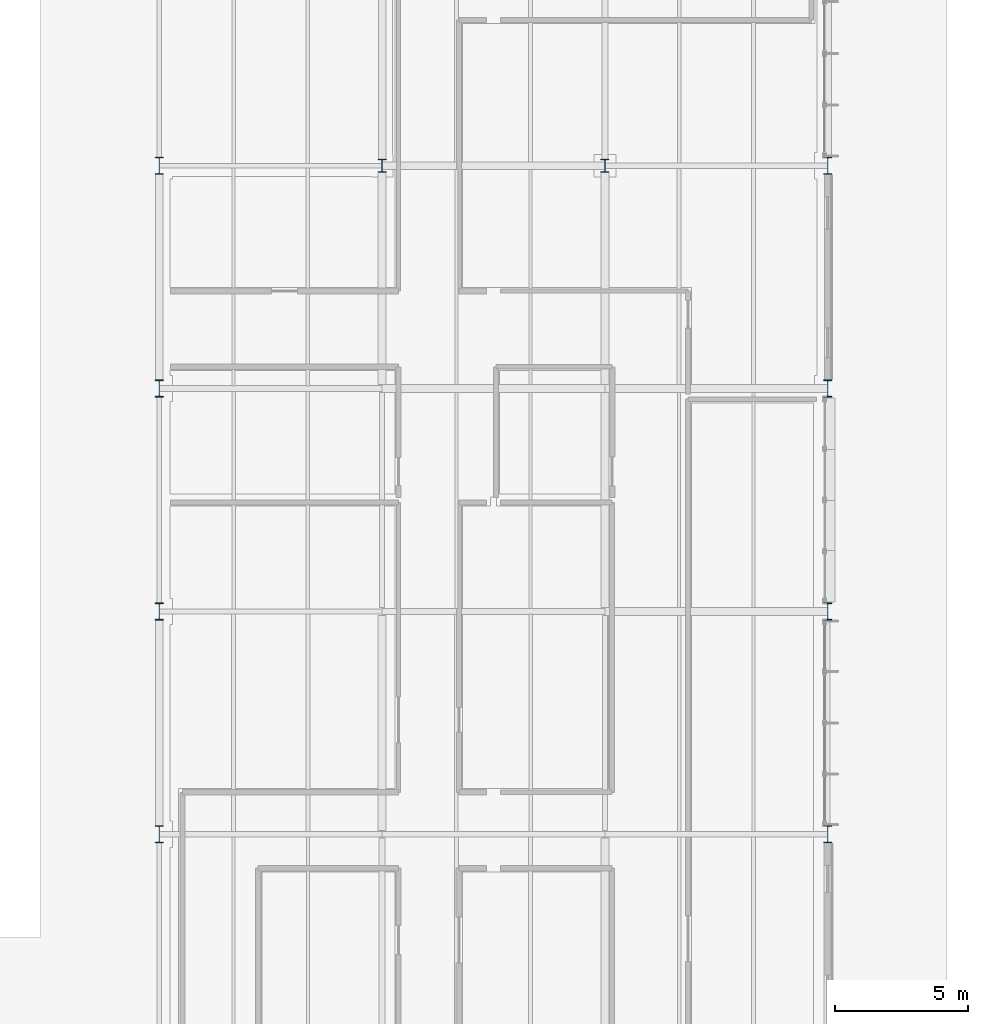
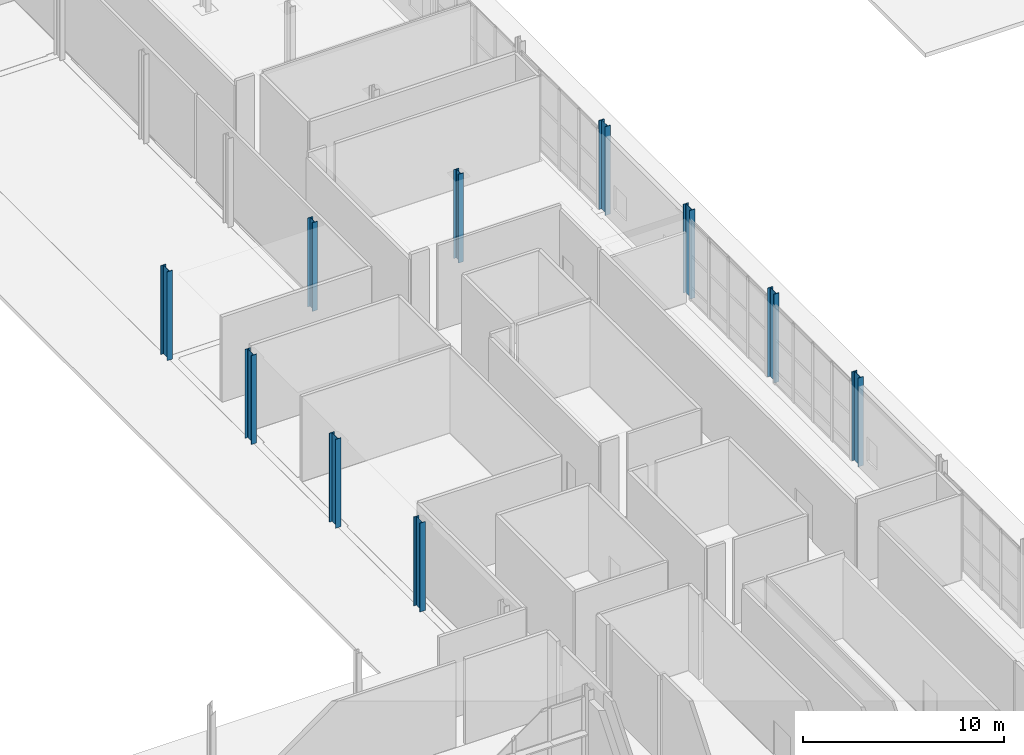
# One storey, part 11 of 124: 10 columns.
"""IFC4 building model written with IfcOpenShell, lengths in metres."""

import ifcopenshell
import ifcopenshell.guid

model = None  # the IFC model being written
_history = None  # IfcOwnerHistory: only IFC2X3 demands one
_inside = {}  # id of a spatial element -> (the spatial element, [elements in it])
_under = {}  # id of a project, library or spatial element -> (it, [spatial elements below it])
_declared = {}  # id of a project -> (the project, [libraries it declares])
_typed = {}  # id of a type object -> (the type object, [elements of that type])
_made_of = {}  # id of a material, layer set ... -> (it, [elements and type objects made of it])


def new_model(schema):
    """Start an empty IFC model of exactly this schema.

    Asked for "IFC4X3", IfcOpenShell would pick the latest addendum, in which some entities
    have other attributes; the version numbers below select the first issue.
    IFC2X3 requires an IfcOwnerHistory on every rooted entity: one is made here for all.
    """
    global model, _history
    if schema == "IFC4X3":
        model = ifcopenshell.file(schema_version=(4, 3, 0, 0))
    else:
        model = ifcopenshell.file(schema=schema)
    _inside.clear()
    _under.clear()
    _declared.clear()
    _typed.clear()
    _made_of.clear()
    _history = None
    if model.schema == "IFC2X3":
        org = make("IfcOrganization", Name="unknown")
        user = make(
            "IfcPersonAndOrganization",
            ThePerson=make("IfcPerson", FamilyName="unknown"),
            TheOrganization=org,
        )
        app = make(
            "IfcApplication",
            ApplicationDeveloper=org,
            Version="unknown",
            ApplicationFullName="unknown",
            ApplicationIdentifier="unknown",
        )
        _history = make(
            "IfcOwnerHistory",
            OwningUser=user,
            OwningApplication=app,
            ChangeAction="ADDED",
            CreationDate=0,
        )
    return model


def make(cls, **values):
    """One entity of the class cls with the attributes given. An attribute that is None is left unset."""
    return model.create_entity(
        cls, **{name: value for name, value in values.items() if value is not None}
    )


def rooted(cls, **values):
    """An entity with a GlobalId (a new one), such as an element, a storey or a relation."""
    return make(cls, GlobalId=ifcopenshell.guid.new(), OwnerHistory=_history, **values)


def si_unit(unit_type, name, prefix=None):
    """IfcSIUnit, for example si_unit("LENGTHUNIT", "METRE", prefix="MILLI")."""
    return make("IfcSIUnit", UnitType=unit_type, Prefix=prefix, Name=name)


def assignment(units):
    """IfcUnitAssignment: the units of a project."""
    return None if units is None else make("IfcUnitAssignment", Units=units)


def point(xyz):
    """IfcCartesianPoint."""
    return None if xyz is None else make("IfcCartesianPoint", Coordinates=xyz)


def direction(xyz):
    """IfcDirection."""
    return None if xyz is None else make("IfcDirection", DirectionRatios=xyz)


def frame(location, z_axis=None, x_axis=None):
    """IfcAxis2Placement3D, a coordinate frame: its origin and axes. An axis left out is left unset."""
    return make(
        "IfcAxis2Placement3D",
        Location=point(location),
        Axis=direction(z_axis),
        RefDirection=direction(x_axis),
    )


def frame_2d(location, x_axis=None):
    """IfcAxis2Placement2D, a coordinate frame in the plane: its origin and x axis."""
    return make(
        "IfcAxis2Placement2D", Location=point(location), RefDirection=direction(x_axis)
    )


def origin():
    """The frame at (0, 0, 0) with its axes left unset."""
    return frame((0.0, 0.0, 0.0))


def origin_2d():
    """The frame at (0, 0) in the plane with its x axis left unset."""
    return frame_2d((0.0, 0.0))


def place(relative_to, where):
    """IfcLocalPlacement: puts the frame where relative to a parent placement (None: the world)."""
    return make(
        "IfcLocalPlacement", PlacementRelTo=relative_to, RelativePlacement=where
    )


def context(
    kind, dimensions, precision=None, world=None, true_north=None, identifier=None
):
    """IfcGeometricRepresentationContext, for example the 3D "Model" context."""
    return make(
        "IfcGeometricRepresentationContext",
        ContextIdentifier=identifier,
        ContextType=kind,
        CoordinateSpaceDimension=dimensions,
        Precision=precision,
        WorldCoordinateSystem=world,
        TrueNorth=true_north,
    )


def subcontext(parent, identifier, kind, view, scale=None):
    """IfcGeometricRepresentationSubContext, for example "Body" below "Model"."""
    return make(
        "IfcGeometricRepresentationSubContext",
        ContextIdentifier=identifier,
        ContextType=kind,
        ParentContext=parent,
        TargetScale=scale,
        TargetView=view,
    )


def project(units=None, contexts=None):
    """IfcProject with its units and contexts."""
    return rooted(
        "IfcProject",
        Name="project",
        RepresentationContexts=contexts,
        UnitsInContext=assignment(units),
    )


def spatial(cls, under=None, at=None, **own):
    """A site, building, storey or space (cls), placed at a placement, below another one or the project."""
    s = rooted(cls, ObjectPlacement=at, **own)
    if under is not None:
        _under.setdefault(under.id(), (under, []))[1].append(s)
    return s


def profile(cls, at=None, kind="AREA", **sizes):
    """A parametric profile (cls). Its sizes go by their IFC names, for example OverallWidth=200.0."""
    return make(cls, ProfileType=kind, Position=at, **sizes)


def i_section(**sizes):
    """IfcIShapeProfileDef."""
    return profile("IfcIShapeProfileDef", **sizes)


def extrude(swept, where, along, depth):
    """IfcExtrudedAreaSolid: the profile swept, set in the frame where, extruded along a direction by depth."""
    return make(
        "IfcExtrudedAreaSolid",
        SweptArea=swept,
        Position=where,
        ExtrudedDirection=direction(along),
        Depth=depth,
    )


def shape(context_of_items, identifier, shape_type, items):
    """IfcShapeRepresentation: the items that make up one representation, for example the "Body"."""
    return make(
        "IfcShapeRepresentation",
        ContextOfItems=context_of_items,
        RepresentationIdentifier=identifier,
        RepresentationType=shape_type,
        Items=items,
    )


def material(Name=None, Category=None):
    """IfcMaterial."""
    return make("IfcMaterial", Name=Name, Category=Category)


def material_profile(
    of_material, cross_section, Name=None, Category=None, Priority=None
):
    """IfcMaterialProfile: a cross section and its material."""
    return make(
        "IfcMaterialProfile",
        Name=Name,
        Material=of_material,
        Profile=cross_section,
        Priority=Priority,
        Category=Category,
    )


def profile_set(profiles, Name=None, composite=None):
    """IfcMaterialProfileSet."""
    return make(
        "IfcMaterialProfileSet",
        Name=Name,
        MaterialProfiles=profiles,
        CompositeProfile=composite,
    )


def made_of(thing, what):
    """Note that an element or type object is made of a material, layer set ...; save() writes the relation."""
    if what is not None:
        _made_of.setdefault(what.id(), (what, []))[1].append(thing)
    return thing


def type_object(cls, material=None, **own):
    """A type object (cls), such as IfcWallType, which elements share."""
    return made_of(rooted(cls, **own), material)


def element(
    cls,
    number,
    at=None,
    inside=None,
    cuts=None,
    type_object=None,
    material=None,
    context=None,
    identifier="Body",
    shape_type=None,
    held_by="IfcProductDefinitionShape",
    body=None,
    shapes=None,
    **own,
):
    """One element of the class cls, such as IfcWall. Its Tag is "e" and its number.

    at: its placement. inside: the storey or other place that contains it. cuts: it is an
    opening in that element (IfcRelVoidsElement). A single representation is given by context,
    identifier, shape_type and body (its items); several are given by shapes. held_by: the class
    of the entity that holds the representations. save() writes the other relations.
    """
    e = rooted(cls, Tag="e%d" % number, ObjectPlacement=at, **own)
    if body is not None:
        shapes = [shape(context, identifier, shape_type, body)]
    if shapes is not None:
        e.Representation = make(held_by, Representations=shapes)
    if inside is not None:
        _inside.setdefault(inside.id(), (inside, []))[1].append(e)
    if cuts is not None:
        rooted(
            "IfcRelVoidsElement", RelatingBuildingElement=cuts, RelatedOpeningElement=e
        )
    if type_object is not None:
        _typed.setdefault(type_object.id(), (type_object, []))[1].append(e)
    return made_of(e, material)


def aggregate(whole, parts):
    """IfcRelAggregates: a whole, such as a stair, and the parts it consists of."""
    return rooted("IfcRelAggregates", RelatingObject=whole, RelatedObjects=parts)


def save(model, path):
    """Write the relations noted so far, then the file.

    IfcRelAggregates (storeys below a building ...), IfcRelContainedInSpatialStructure (elements
    in a storey), IfcRelDefinesByType, IfcRelAssociatesMaterial and IfcRelDeclares: one each for
    every whole, place, type object, material and project.
    """
    for whole, parts in _under.values():
        aggregate(whole, parts)
    for where, things in _inside.values():
        rooted(
            "IfcRelContainedInSpatialStructure",
            RelatedElements=things,
            RelatingStructure=where,
        )
    for kind, things in _typed.values():
        rooted("IfcRelDefinesByType", RelatedObjects=things, RelatingType=kind)
    for what, things in _made_of.values():
        rooted("IfcRelAssociatesMaterial", RelatedObjects=things, RelatingMaterial=what)
    for by, libraries in _declared.values():
        rooted("IfcRelDeclares", RelatingContext=by, RelatedDefinitions=libraries)
    model.write(path)


model = new_model("IFC4")

# Units and contexts
model_context = context("Model", 3, precision=1e-05, world=origin(), true_north=direction((0.0, 1.0)))
body_context = subcontext(model_context, "Body", "Model", "MODEL_VIEW")
ifc_project = project(units=[si_unit("LENGTHUNIT", "METRE"), si_unit("AREAUNIT", "SQUARE_METRE"), si_unit("VOLUMEUNIT", "CUBIC_METRE"), si_unit("PLANEANGLEUNIT", "RADIAN"), si_unit("MASSUNIT", "GRAM", prefix="KILO")], contexts=[model_context])

# Site, building, storey
site_placement = place(None, origin())
site = spatial("IfcSite", under=ifc_project, at=site_placement, CompositionType="ELEMENT")
building_placement = place(site_placement, origin())
building = spatial("IfcBuilding", under=site, at=building_placement, Name="Mersafa Astral City Hall", CompositionType="ELEMENT")
storey_placement = place(building_placement, origin())
storey = spatial("IfcBuildingStorey", under=building, at=storey_placement, Name="L00", CompositionType="ELEMENT", Elevation=0.0)

# Columns
ifc_material = material(Name="Steel S355", Category="steel")
ifc_material_profile_1 = material_profile(ifc_material, i_section(OverallWidth=0.300048828125, OverallDepth=0.5, WebThickness=0.014404296875, FlangeThickness=0.028076171875, FilletRadius=0.027099609375, at=origin_2d()), Name="HEB 500")
ifc_profile_set_1 = profile_set([ifc_material_profile_1], Name="Steel S355")
column_type_1 = type_object("IfcColumnType", Name="STR-COL-HEB500", PredefinedType="COLUMN", material=ifc_profile_set_1)
for number, where, z_axis, x_axis, name in (
    (1, (100.800048828125, 92.39990234375, 0.0), (0.0, 0.0, 1.0), (1.0, 0.0, 0.0), "L00 Structural column G-12-11"),
    (2, (109.199951171875, 92.39990234375, 0.0), (0.0, 0.0, 1.0), (1.0, 0.0, 0.0), "L00 Structural column G-13-11"),
):
    element("IfcColumn", number, at=place(storey_placement, frame(where, z_axis=z_axis, x_axis=x_axis)), inside=storey, type_object=column_type_1, Name=name, PredefinedType="COLUMN", context=body_context, shape_type="SweptSolid", body=[
        extrude(i_section(OverallWidth=0.300048828125, OverallDepth=0.5, WebThickness=0.014404296875, FlangeThickness=0.028076171875, FilletRadius=0.027099609375, at=origin_2d()), origin(), (0.0, 0.0, 1.0), 5.39990234375),
    ])
ifc_material_profile_2 = material_profile(ifc_material, i_section(OverallWidth=0.300048828125, OverallDepth=0.64990234375, WebThickness=0.01611328125, FlangeThickness=0.031005859375, FilletRadius=0.027099609375, at=origin_2d()), Name="HEB 650")
ifc_profile_set_2 = profile_set([ifc_material_profile_2], Name="Steel S355")
column_type_2 = type_object("IfcColumnType", Name="STR-COL-HEB650", PredefinedType="COLUMN", material=ifc_profile_set_2)
for number, where, z_axis, x_axis, name in (
    (3, (92.39990234375, 67.199951171875, 0.0), (0.0, 0.0, 1.0), (1.0, 0.0, 0.0), "L00 Structural column G-11-08"),
    (4, (92.39990234375, 75.60009765625, 0.0), (0.0, 0.0, 1.0), (1.0, 0.0, 0.0), "L00 Structural column G-11-09"),
    (5, (92.39990234375, 84.0, 0.0), (0.0, 0.0, 1.0), (1.0, 0.0, 0.0), "L00 Structural column G-11-10"),
    (6, (92.39990234375, 92.39990234375, 0.0), (0.0, 0.0, 1.0), (1.0, 0.0, 0.0), "L00 Structural column G-11-11"),
    (7, (117.60009765625, 67.199951171875, 0.0), (0.0, 0.0, 1.0), (1.0, 0.0, 0.0), "L00 Structural column G-14-08"),
    (8, (117.60009765625, 75.60009765625, 0.0), (0.0, 0.0, 1.0), (1.0, 0.0, 0.0), "L00 Structural column G-14-09"),
    (9, (117.60009765625, 84.0, 0.0), (0.0, 0.0, 1.0), (1.0, 0.0, 0.0), "L00 Structural column G-14-10"),
    (10, (117.60009765625, 92.39990234375, 0.0), (0.0, 0.0, 1.0), (1.0, 0.0, 0.0), "L00 Structural column G-14-11"),
):
    element("IfcColumn", number, at=place(storey_placement, frame(where, z_axis=z_axis, x_axis=x_axis)), inside=storey, type_object=column_type_2, Name=name, PredefinedType="COLUMN", context=body_context, shape_type="SweptSolid", body=[
        extrude(i_section(OverallWidth=0.300048828125, OverallDepth=0.64990234375, WebThickness=0.01611328125, FlangeThickness=0.031005859375, FilletRadius=0.027099609375, at=origin_2d()), origin(), (0.0, 0.0, 1.0), 5.39990234375),
    ])

save(model, "model.ifc")
